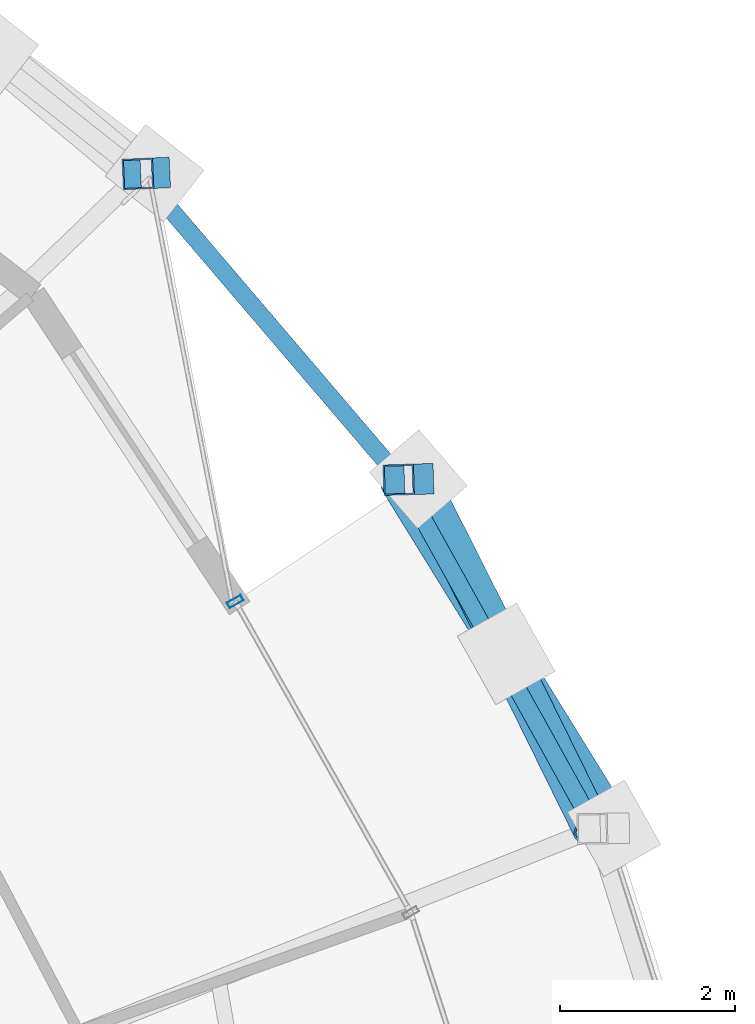
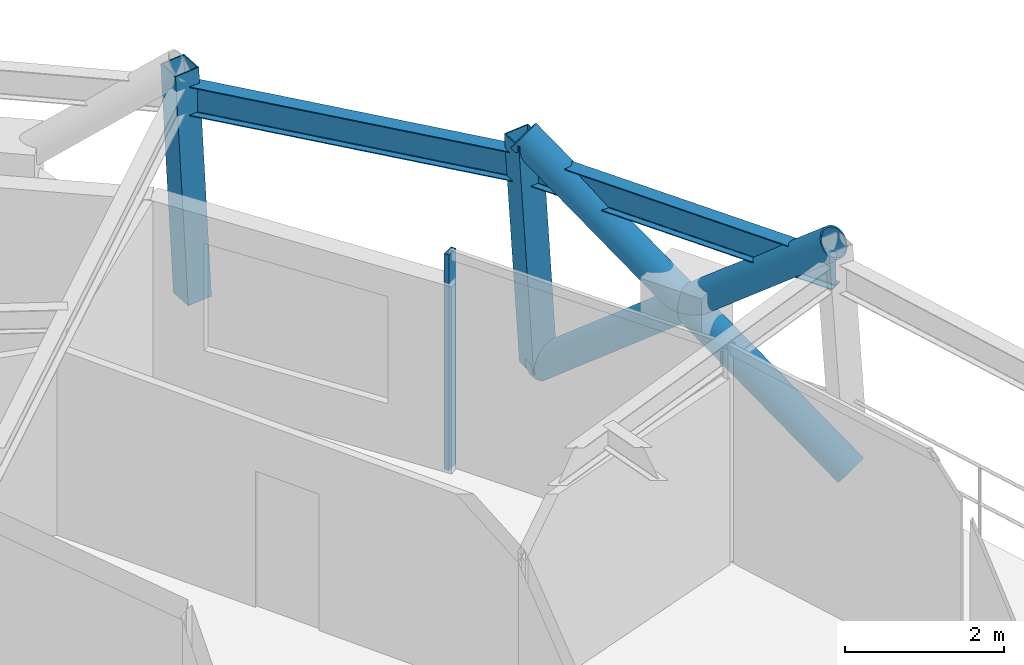
# One storey, part 10 of 18: 6 members, 2 beams, 1 element without a shape of its own.
"""IFC4 building model written with IfcOpenShell, lengths in metres."""

from ifc_helpers import new_model, si_unit, direction, frame, origin, origin_2d, place, context, subcontext, project, spatial, hollow_rectangle, hollow_circle, i_section, extrude, material, layer, layer_set, material_profile, profile_set, type_object, element, aggregate, save


model = new_model("IFC4")

# Units and contexts
model_context = context("Model", 3, precision=1e-05, world=origin(), true_north=direction((0.0, 1.0)))
body_context = subcontext(model_context, "Body", "Model", "MODEL_VIEW")
ifc_project = project(units=[si_unit("LENGTHUNIT", "METRE"), si_unit("AREAUNIT", "SQUARE_METRE"), si_unit("VOLUMEUNIT", "CUBIC_METRE"), si_unit("PLANEANGLEUNIT", "RADIAN"), si_unit("MASSUNIT", "GRAM", prefix="KILO")], contexts=[model_context])

# Site, building, storey
site_placement = place(None, origin())
site = spatial("IfcSite", under=ifc_project, at=site_placement, CompositionType="ELEMENT")
building_placement = place(site_placement, origin())
building = spatial("IfcBuilding", under=site, at=building_placement, Name="Veldorina Hangang Commons", CompositionType="ELEMENT")
storey_placement = place(building_placement, frame((0.0, 0.0, 232.800048828125)))
storey = spatial("IfcBuildingStorey", under=building, at=storey_placement, Name="L60", CompositionType="ELEMENT", Elevation=232.800048828125)

# Beams
ifc_material_1 = material(Name="Steel SM355-TMC", Category="steel")
ifc_material_profile_1 = material_profile(ifc_material_1, i_section(OverallWidth=0.199951171875, OverallDepth=0.449951171875, WebThickness=0.009033203125, FlangeThickness=0.013916015625, FilletRadius=0.01611328125, at=origin_2d()), Name="H-450x200x9x14")
ifc_profile_set_1 = profile_set([ifc_material_profile_1], Name="Steel SM355-TMC")
beam_type = type_object("IfcBeamType", Name="BM-RB450", PredefinedType="BEAM", material=ifc_profile_set_1)
beam_1_placement = place(storey_placement, frame((54.201904296875, 32.843017578125, 3.135009765625), z_axis=(-0.485865143096, 0.874033788091, 0.0), x_axis=(-0.874033788091, -0.485865143096, 0.0)))
element("IfcBeam", 1, at=beam_1_placement, inside=storey, type_object=beam_type, Name="L60 perimeter hoop ring beam 02", PredefinedType="BEAM", context=body_context, shape_type="SweptSolid", body=[
    extrude(i_section(OverallWidth=0.199951171875, OverallDepth=0.449951171875, WebThickness=0.009033203125, FlangeThickness=0.013916015625, FilletRadius=0.01611328125, at=origin_2d()), origin(), (0.0, 0.0, 1.0), 4.570556640625),
])
beam_2_placement = place(storey_placement, frame((51.981201171875, 36.837890625, 3.135009765625), z_axis=(-0.649200277613, 0.760617511991, 0.0), x_axis=(-0.760617511991, -0.649200277613, 0.0)))
element("IfcBeam", 2, at=beam_2_placement, inside=storey, type_object=beam_type, Name="L60 perimeter hoop ring beam 03", PredefinedType="BEAM", context=body_context, shape_type="SweptSolid", body=[
    extrude(i_section(OverallWidth=0.199951171875, OverallDepth=0.449951171875, WebThickness=0.009033203125, FlangeThickness=0.013916015625, FilletRadius=0.01611328125, at=origin_2d()), origin(), (0.0, 0.0, 1.0), 4.603759765625),
])

# Curtain wall, member
ifc_material_2 = material(Name="Glass Low-E Selective", Category="glass")
ifc_layer = layer(ifc_material_2, 0.179931640625)
ifc_layer_set = layer_set([ifc_layer], Name="Glass Low-E Selective")
curtain_wall_type = type_object("IfcCurtainWallType", Name="CW-SYS-Z3", PredefinedType="NOTDEFINED", material=ifc_layer_set)
curtain_wall_placement = place(storey_placement, origin())
curtain_wall = element("IfcCurtainWall", 3, at=curtain_wall_placement, inside=storey, type_object=curtain_wall_type, Name="L60 unitised curtain wall CW-L60-R2", PredefinedType="NOTDEFINED")
ifc_material_3 = material(Name="Aluminium Anodized AA6063-T6", Category="aluminium")
ifc_material_profile_2 = material_profile(ifc_material_3, hollow_rectangle(XDim=0.070068359375, YDim=0.179931640625, WallThickness=0.00390625, at=origin_2d()), Name="ALU-RHS-180x70x4")
ifc_profile_set_2 = profile_set([ifc_material_profile_2], Name="Aluminium Anodized AA6063-T6")
member_type_1 = type_object("IfcMemberType", Name="CW-MUL-180", PredefinedType="MULLION", material=ifc_profile_set_2)
member_1_placement = place(storey_placement, frame((50.0810546875, 35.443603515625, 0.0), z_axis=(0.0, 0.0, 1.0), x_axis=(0.49145105646, -0.870905195245, 0.0)))
member_1 = element("IfcMember", 4, at=member_1_placement, type_object=member_type_1, Name="CW-L60-R2 vertical mullion 4", PredefinedType="MULLION", context=body_context, shape_type="SweptSolid", body=[
    extrude(hollow_rectangle(XDim=0.070068359375, YDim=0.179931640625, WallThickness=0.00390625, at=origin_2d()), origin(), (0.0, 0.0, 1.0), 3.320068359375),
])
aggregate(curtain_wall, [member_1])

# Members
ifc_material_profile_3 = material_profile(ifc_material_1, hollow_circle(Radius=0.22509765625, WallThickness=0.02197265625, at=origin_2d()), Name="CHS-450x22")
ifc_profile_set_3 = profile_set([ifc_material_profile_3], Name="Steel SM355-TMC")
member_type_2 = type_object("IfcMemberType", Name="DG-CHS450", PredefinedType="BRACE", material=ifc_profile_set_3)
member_2_placement = place(storey_placement, frame((54.418701171875, 32.846923828125, 0.0), z_axis=(-0.417133330205, 0.674812149744, 0.608792532304), x_axis=(-0.850607689208, -0.525800873964, 0.0)))
element("IfcMember", 5, at=member_2_placement, inside=storey, type_object=member_type_2, Name="L60 continuous perimeter diagrid brace 02", PredefinedType="BRACE", context=body_context, shape_type="SweptSolid", body=[
    extrude(hollow_circle(Radius=0.22509765625, WallThickness=0.02197265625, at=origin_2d()), origin(), (0.0, 0.0, 1.0), 5.9130859375),
])
member_3_placement = place(storey_placement, frame((52.176513671875, 36.84375, 0.0), z_axis=(0.35044607001, -0.695454916147, 0.627319704474), x_axis=(0.893026454381, 0.45000416862, 0.0)))
element("IfcMember", 6, at=member_3_placement, inside=storey, type_object=member_type_2, Name="L60 split perimeter diagrid lower brace 03", PredefinedType="BRACE", context=body_context, shape_type="SweptSolid", body=[
    extrude(hollow_circle(Radius=0.22509765625, WallThickness=0.02197265625, at=origin_2d()), origin(), (0.0, 0.0, 1.0), 2.873779296875),
])
member_4_placement = place(storey_placement, frame((53.18359375, 34.84521484375, 1.802734375), z_axis=(0.344067613613, -0.698868705641, 0.627056623869), x_axis=(0.897166009197, 0.441693504528, 0.0)))
element("IfcMember", 7, at=member_4_placement, inside=storey, type_object=member_type_2, Name="L60 split perimeter diagrid upper brace 03", PredefinedType="BRACE", context=body_context, shape_type="SweptSolid", body=[
    extrude(hollow_circle(Radius=0.22509765625, WallThickness=0.02197265625, at=origin_2d()), origin(), (0.0, 0.0, 1.0), 2.865966796875),
])
ifc_material_profile_4 = material_profile(ifc_material_1, hollow_rectangle(XDim=0.35009765625, YDim=0.35009765625, WallThickness=0.01611328125, at=origin_2d()), Name="SHS-350x350x16")
ifc_profile_set_4 = profile_set([ifc_material_profile_4], Name="Steel SM355-TMC")
member_type_3 = type_object("IfcMemberType", Name="STR-SHS350", PredefinedType="STRUT", material=ifc_profile_set_4)
member_5_placement = place(storey_placement, frame((52.176513671875, 36.84375, 0.0), z_axis=(-0.062205405082, -0.00182757991, 0.998061695252), x_axis=(0.029367088943, -0.999568694031, 0.0)))
element("IfcMember", 8, at=member_5_placement, inside=storey, type_object=member_type_3, Name="L60 perimeter ring node post 03", PredefinedType="STRUT", context=body_context, shape_type="SweptSolid", body=[
    extrude(hollow_rectangle(XDim=0.35009765625, YDim=0.35009765625, WallThickness=0.01611328125, at=origin_2d()), origin(), (0.0, 0.0, 1.0), 3.60693359375),
])
member_6_placement = place(storey_placement, frame((49.15869140625, 40.346923828125, 0.0), z_axis=(-0.052892814881, -0.002370356621, 0.998597382103), x_axis=(0.044769407375, -0.998997347426, 0.0)))
element("IfcMember", 9, at=member_6_placement, inside=storey, type_object=member_type_3, Name="L60 perimeter ring node post 04", PredefinedType="STRUT", context=body_context, shape_type="SweptSolid", body=[
    extrude(hollow_rectangle(XDim=0.35009765625, YDim=0.35009765625, WallThickness=0.01611328125, at=origin_2d()), origin(), (0.0, 0.0, 1.0), 3.60498046875),
])

save(model, "model.ifc")
